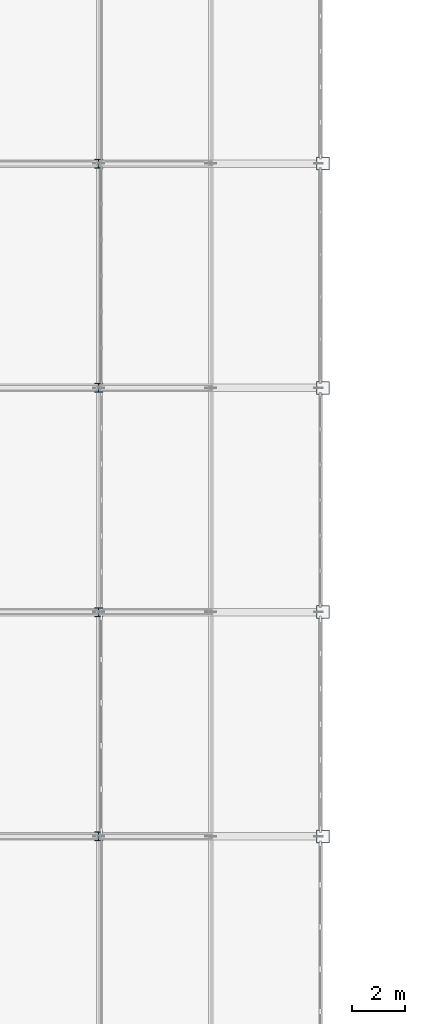
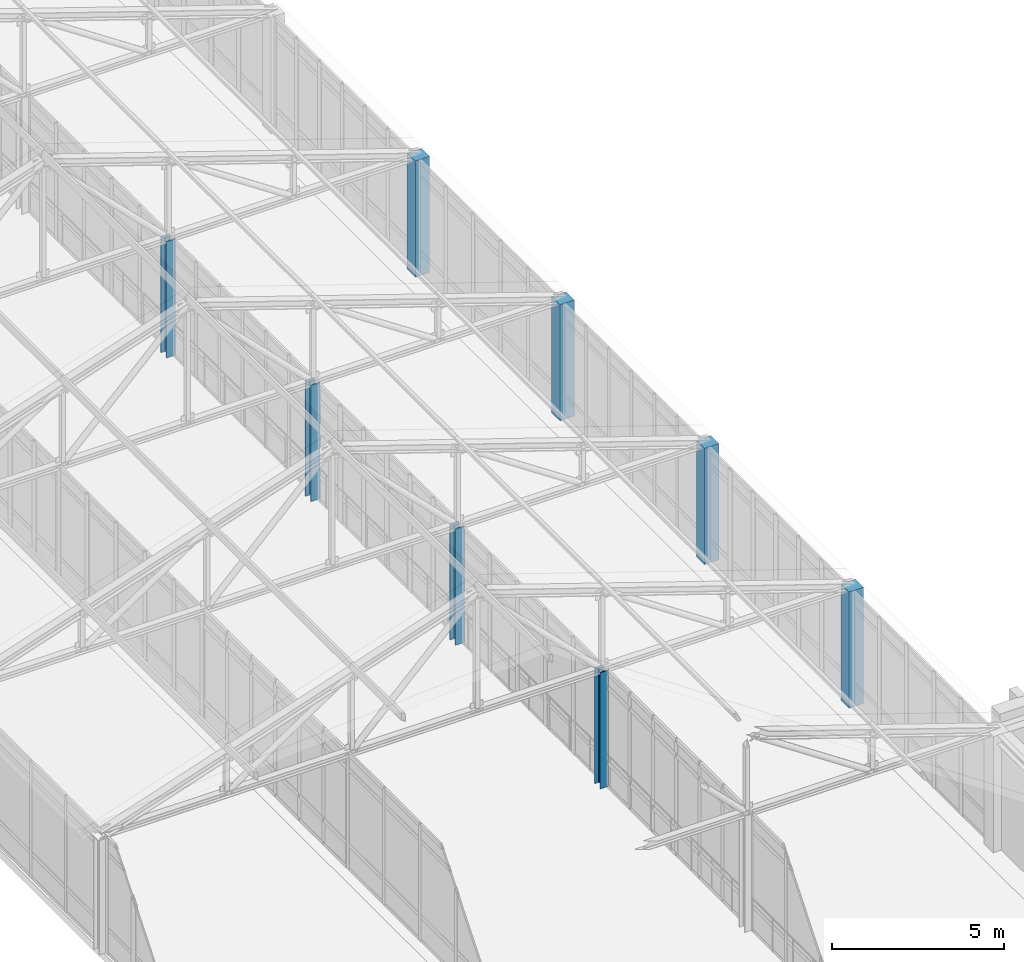
# One storey, part 7 of 192: 8 columns.
"""IFC4 building model written with IfcOpenShell, lengths in metres."""

from ifc_helpers import new_model, si_unit, direction, frame, origin, origin_2d, place, context, subcontext, project, spatial, rectangle, i_section, extrude, material, material_profile, profile_set, type_object, element, save


model = new_model("IFC4")

# Units and contexts
model_context = context("Model", 3, precision=1e-05, world=origin(), true_north=direction((0.0, 1.0)))
body_context = subcontext(model_context, "Body", "Model", "MODEL_VIEW")
ifc_project = project(units=[si_unit("LENGTHUNIT", "METRE"), si_unit("AREAUNIT", "SQUARE_METRE"), si_unit("VOLUMEUNIT", "CUBIC_METRE"), si_unit("PLANEANGLEUNIT", "RADIAN"), si_unit("MASSUNIT", "GRAM", prefix="KILO")], contexts=[model_context])

# Site, building, storey
site_placement = place(None, origin())
site = spatial("IfcSite", under=ifc_project, at=site_placement, CompositionType="ELEMENT")
building_placement = place(site_placement, origin())
building = spatial("IfcBuilding", under=site, at=building_placement, Name="Kveldsbrygga Polytechnic", CompositionType="ELEMENT")
storey_placement = place(building_placement, frame((0.0, 0.0, 5.43994140625)))
storey = spatial("IfcBuildingStorey", under=building, at=storey_placement, Name="L01", CompositionType="ELEMENT", Elevation=5.43994140625)

# Columns
ifc_material_1 = material(Name="Concrete C45/55", Category="concrete")
ifc_material_profile_1 = material_profile(ifc_material_1, rectangle(XDim=0.47998046875, YDim=0.47998046875, at=origin_2d()), Name="RC 480x480")
ifc_profile_set_1 = profile_set([ifc_material_profile_1], Name="Concrete C45/55")
column_type_1 = type_object("IfcColumnType", Name="COL-RC-480", PredefinedType="COLUMN", material=ifc_profile_set_1)
for number, where, z_axis, x_axis, name in (
    (1, (75.60009765625, 33.60009765625, 0.0), (0.0, 0.0, 1.0), (1.0, 0.0, 0.0), "Column COL-L01-09-04"),
    (2, (75.60009765625, 42.0, 0.0), (0.0, 0.0, 1.0), (1.0, 0.0, 0.0), "Column COL-L01-09-05"),
    (3, (75.60009765625, 50.39990234375, 0.0), (0.0, 0.0, 1.0), (1.0, 0.0, 0.0), "Column COL-L01-09-06"),
    (4, (75.60009765625, 58.800048828125, 0.0), (0.0, 0.0, 1.0), (1.0, 0.0, 0.0), "Column COL-L01-09-07"),
):
    element("IfcColumn", number, at=place(storey_placement, frame(where, z_axis=z_axis, x_axis=x_axis)), inside=storey, type_object=column_type_1, Name=name, PredefinedType="COLUMN", context=body_context, shape_type="SweptSolid", body=[
        extrude(rectangle(XDim=0.47998046875, YDim=0.47998046875, at=origin_2d()), origin(), (0.0, 0.0, 1.0), 4.1201171875),
    ])
ifc_material_2 = material(Name="Steel S355", Category="steel")
ifc_material_profile_2 = material_profile(ifc_material_2, i_section(OverallWidth=0.300048828125, OverallDepth=0.340087890625, WebThickness=0.011962890625, FlangeThickness=0.021484375, FilletRadius=0.027099609375, at=origin_2d()), Name="HEB 340")
ifc_profile_set_2 = profile_set([ifc_material_profile_2], Name="Steel S355")
column_type_2 = type_object("IfcColumnType", Name="COL-STL-HEB340", PredefinedType="COLUMN", material=ifc_profile_set_2)
for number, where, z_axis, x_axis, name in (
    (5, (67.199951171875, 33.60009765625, 0.0), (0.0, 0.0, 1.0), (1.0, 0.0, 0.0), "Column COL-L01-08-04"),
    (6, (67.199951171875, 42.0, 0.0), (0.0, 0.0, 1.0), (1.0, 0.0, 0.0), "Column COL-L01-08-05"),
    (7, (67.199951171875, 50.39990234375, 0.0), (0.0, 0.0, 1.0), (1.0, 0.0, 0.0), "Column COL-L01-08-06"),
    (8, (67.199951171875, 58.800048828125, 0.0), (0.0, 0.0, 1.0), (1.0, 0.0, 0.0), "Column COL-L01-08-07"),
):
    element("IfcColumn", number, at=place(storey_placement, frame(where, z_axis=z_axis, x_axis=x_axis)), inside=storey, type_object=column_type_2, Name=name, PredefinedType="COLUMN", context=body_context, shape_type="SweptSolid", body=[
        extrude(i_section(OverallWidth=0.300048828125, OverallDepth=0.340087890625, WebThickness=0.011962890625, FlangeThickness=0.021484375, FilletRadius=0.027099609375, at=origin_2d()), origin(), (0.0, 0.0, 1.0), 4.1201171875),
    ])

save(model, "model.ifc")
